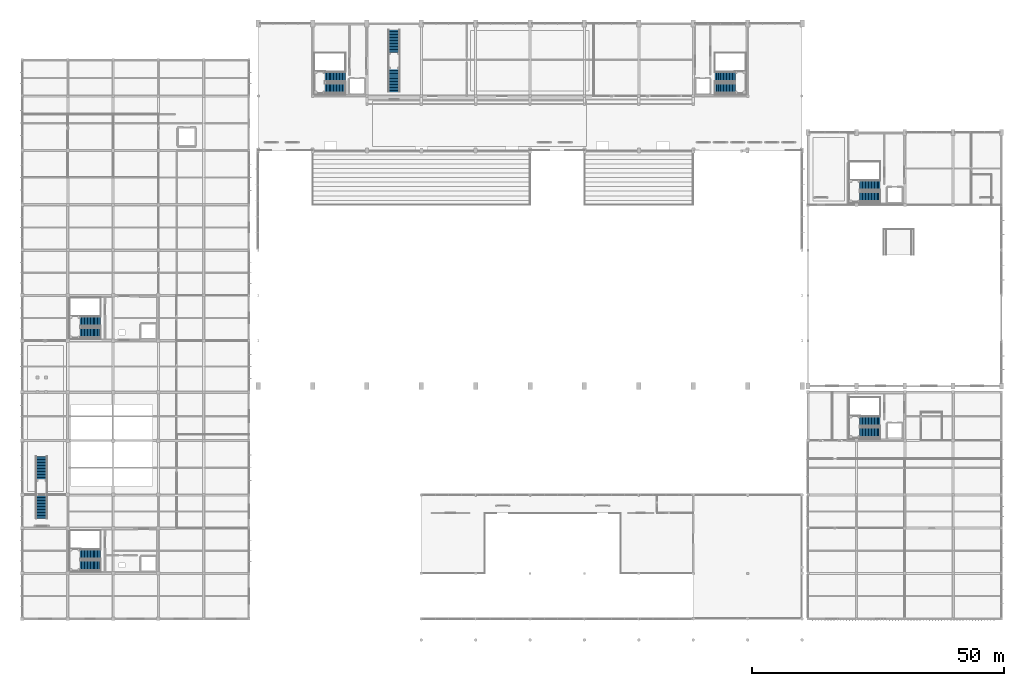
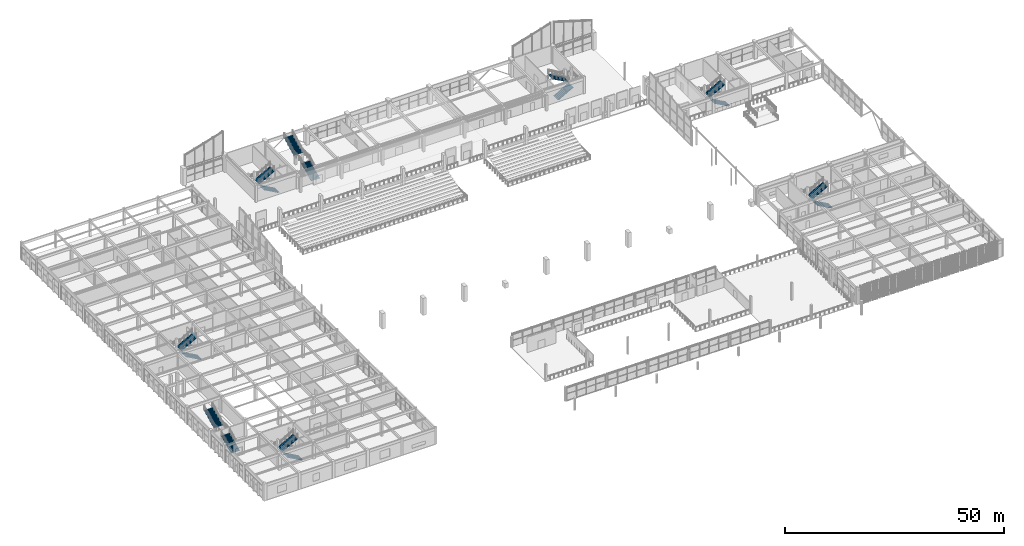
# One storey, part 56 of 74: 16 stair flights, 8 elements without a shape of their own.
"""IFC4 building model written with IfcOpenShell, lengths in metres."""

import ifcopenshell
import ifcopenshell.guid

model = None  # the IFC model being written
_history = None  # IfcOwnerHistory: only IFC2X3 demands one
_inside = {}  # id of a spatial element -> (the spatial element, [elements in it])
_under = {}  # id of a project, library or spatial element -> (it, [spatial elements below it])
_declared = {}  # id of a project -> (the project, [libraries it declares])
_typed = {}  # id of a type object -> (the type object, [elements of that type])
_made_of = {}  # id of a material, layer set ... -> (it, [elements and type objects made of it])


def new_model(schema):
    """Start an empty IFC model of exactly this schema.

    Asked for "IFC4X3", IfcOpenShell would pick the latest addendum, in which some entities
    have other attributes; the version numbers below select the first issue.
    IFC2X3 requires an IfcOwnerHistory on every rooted entity: one is made here for all.
    """
    global model, _history
    if schema == "IFC4X3":
        model = ifcopenshell.file(schema_version=(4, 3, 0, 0))
    else:
        model = ifcopenshell.file(schema=schema)
    _inside.clear()
    _under.clear()
    _declared.clear()
    _typed.clear()
    _made_of.clear()
    _history = None
    if model.schema == "IFC2X3":
        org = make("IfcOrganization", Name="unknown")
        user = make(
            "IfcPersonAndOrganization",
            ThePerson=make("IfcPerson", FamilyName="unknown"),
            TheOrganization=org,
        )
        app = make(
            "IfcApplication",
            ApplicationDeveloper=org,
            Version="unknown",
            ApplicationFullName="unknown",
            ApplicationIdentifier="unknown",
        )
        _history = make(
            "IfcOwnerHistory",
            OwningUser=user,
            OwningApplication=app,
            ChangeAction="ADDED",
            CreationDate=0,
        )
    return model


def make(cls, **values):
    """One entity of the class cls with the attributes given. An attribute that is None is left unset."""
    return model.create_entity(
        cls, **{name: value for name, value in values.items() if value is not None}
    )


def rooted(cls, **values):
    """An entity with a GlobalId (a new one), such as an element, a storey or a relation."""
    return make(cls, GlobalId=ifcopenshell.guid.new(), OwnerHistory=_history, **values)


def si_unit(unit_type, name, prefix=None):
    """IfcSIUnit, for example si_unit("LENGTHUNIT", "METRE", prefix="MILLI")."""
    return make("IfcSIUnit", UnitType=unit_type, Prefix=prefix, Name=name)


def assignment(units):
    """IfcUnitAssignment: the units of a project."""
    return None if units is None else make("IfcUnitAssignment", Units=units)


def point(xyz):
    """IfcCartesianPoint."""
    return None if xyz is None else make("IfcCartesianPoint", Coordinates=xyz)


def direction(xyz):
    """IfcDirection."""
    return None if xyz is None else make("IfcDirection", DirectionRatios=xyz)


def frame(location, z_axis=None, x_axis=None):
    """IfcAxis2Placement3D, a coordinate frame: its origin and axes. An axis left out is left unset."""
    return make(
        "IfcAxis2Placement3D",
        Location=point(location),
        Axis=direction(z_axis),
        RefDirection=direction(x_axis),
    )


def origin():
    """The frame at (0, 0, 0) with its axes left unset."""
    return frame((0.0, 0.0, 0.0))


def place(relative_to, where):
    """IfcLocalPlacement: puts the frame where relative to a parent placement (None: the world)."""
    return make(
        "IfcLocalPlacement", PlacementRelTo=relative_to, RelativePlacement=where
    )


def context(
    kind, dimensions, precision=None, world=None, true_north=None, identifier=None
):
    """IfcGeometricRepresentationContext, for example the 3D "Model" context."""
    return make(
        "IfcGeometricRepresentationContext",
        ContextIdentifier=identifier,
        ContextType=kind,
        CoordinateSpaceDimension=dimensions,
        Precision=precision,
        WorldCoordinateSystem=world,
        TrueNorth=true_north,
    )


def subcontext(parent, identifier, kind, view, scale=None):
    """IfcGeometricRepresentationSubContext, for example "Body" below "Model"."""
    return make(
        "IfcGeometricRepresentationSubContext",
        ContextIdentifier=identifier,
        ContextType=kind,
        ParentContext=parent,
        TargetScale=scale,
        TargetView=view,
    )


def project(units=None, contexts=None):
    """IfcProject with its units and contexts."""
    return rooted(
        "IfcProject",
        Name="project",
        RepresentationContexts=contexts,
        UnitsInContext=assignment(units),
    )


def spatial(cls, under=None, at=None, **own):
    """A site, building, storey or space (cls), placed at a placement, below another one or the project."""
    s = rooted(cls, ObjectPlacement=at, **own)
    if under is not None:
        _under.setdefault(under.id(), (under, []))[1].append(s)
    return s


def polyline(points):
    """IfcPolyline through the points."""
    return make("IfcPolyline", Points=[point(p) for p in points])


def outline(outer, holes=None, kind="AREA"):
    """IfcArbitraryClosedProfileDef: a profile drawn as a closed curve; with holes, ...WithVoids."""
    if holes is None:
        return make("IfcArbitraryClosedProfileDef", ProfileType=kind, OuterCurve=outer)
    return make(
        "IfcArbitraryProfileDefWithVoids",
        ProfileType=kind,
        OuterCurve=outer,
        InnerCurves=holes,
    )


def extrude(swept, where, along, depth):
    """IfcExtrudedAreaSolid: the profile swept, set in the frame where, extruded along a direction by depth."""
    return make(
        "IfcExtrudedAreaSolid",
        SweptArea=swept,
        Position=where,
        ExtrudedDirection=direction(along),
        Depth=depth,
    )


def shape(context_of_items, identifier, shape_type, items):
    """IfcShapeRepresentation: the items that make up one representation, for example the "Body"."""
    return make(
        "IfcShapeRepresentation",
        ContextOfItems=context_of_items,
        RepresentationIdentifier=identifier,
        RepresentationType=shape_type,
        Items=items,
    )


def material(Name=None, Category=None):
    """IfcMaterial."""
    return make("IfcMaterial", Name=Name, Category=Category)


def made_of(thing, what):
    """Note that an element or type object is made of a material, layer set ...; save() writes the relation."""
    if what is not None:
        _made_of.setdefault(what.id(), (what, []))[1].append(thing)
    return thing


def type_object(cls, material=None, **own):
    """A type object (cls), such as IfcWallType, which elements share."""
    return made_of(rooted(cls, **own), material)


def element(
    cls,
    number,
    at=None,
    inside=None,
    cuts=None,
    type_object=None,
    material=None,
    context=None,
    identifier="Body",
    shape_type=None,
    held_by="IfcProductDefinitionShape",
    body=None,
    shapes=None,
    **own,
):
    """One element of the class cls, such as IfcWall. Its Tag is "e" and its number.

    at: its placement. inside: the storey or other place that contains it. cuts: it is an
    opening in that element (IfcRelVoidsElement). A single representation is given by context,
    identifier, shape_type and body (its items); several are given by shapes. held_by: the class
    of the entity that holds the representations. save() writes the other relations.
    """
    e = rooted(cls, Tag="e%d" % number, ObjectPlacement=at, **own)
    if body is not None:
        shapes = [shape(context, identifier, shape_type, body)]
    if shapes is not None:
        e.Representation = make(held_by, Representations=shapes)
    if inside is not None:
        _inside.setdefault(inside.id(), (inside, []))[1].append(e)
    if cuts is not None:
        rooted(
            "IfcRelVoidsElement", RelatingBuildingElement=cuts, RelatedOpeningElement=e
        )
    if type_object is not None:
        _typed.setdefault(type_object.id(), (type_object, []))[1].append(e)
    return made_of(e, material)


def aggregate(whole, parts):
    """IfcRelAggregates: a whole, such as a stair, and the parts it consists of."""
    return rooted("IfcRelAggregates", RelatingObject=whole, RelatedObjects=parts)


def save(model, path):
    """Write the relations noted so far, then the file.

    IfcRelAggregates (storeys below a building ...), IfcRelContainedInSpatialStructure (elements
    in a storey), IfcRelDefinesByType, IfcRelAssociatesMaterial and IfcRelDeclares: one each for
    every whole, place, type object, material and project.
    """
    for whole, parts in _under.values():
        aggregate(whole, parts)
    for where, things in _inside.values():
        rooted(
            "IfcRelContainedInSpatialStructure",
            RelatedElements=things,
            RelatingStructure=where,
        )
    for kind, things in _typed.values():
        rooted("IfcRelDefinesByType", RelatedObjects=things, RelatingType=kind)
    for what, things in _made_of.values():
        rooted("IfcRelAssociatesMaterial", RelatedObjects=things, RelatingMaterial=what)
    for by, libraries in _declared.values():
        rooted("IfcRelDeclares", RelatingContext=by, RelatedDefinitions=libraries)
    model.write(path)


model = new_model("IFC4")

# Units and contexts
model_context = context("Model", 3, precision=1e-05, world=origin(), true_north=direction((0.0, 1.0)))
body_context = subcontext(model_context, "Body", "Model", "MODEL_VIEW")
ifc_project = project(units=[si_unit("LENGTHUNIT", "METRE"), si_unit("AREAUNIT", "SQUARE_METRE"), si_unit("VOLUMEUNIT", "CUBIC_METRE"), si_unit("PLANEANGLEUNIT", "RADIAN"), si_unit("MASSUNIT", "GRAM", prefix="KILO")], contexts=[model_context])

# Site, building, storey
site_placement = place(None, origin())
site = spatial("IfcSite", under=ifc_project, at=site_placement, CompositionType="ELEMENT")
building_placement = place(site_placement, origin())
building = spatial("IfcBuilding", under=site, at=building_placement, Name="Suirenkawa Promenade Aquatics Centre", CompositionType="ELEMENT")
storey_placement = place(building_placement, frame((0.0, 0.0, 4.800048828125)))
storey = spatial("IfcBuildingStorey", under=building, at=storey_placement, Name="L01", CompositionType="ELEMENT", Elevation=4.800048828125)

# Stair, stair flights
ifc_material = material(Name="Concrete M40", Category="concrete")
stair_type_1 = type_object("IfcStairType", Name="STT-CORE-2100-480", PredefinedType="TWO_STRAIGHT_RUN_STAIR", material=ifc_material)
stair_1_placement = place(storey_placement, origin())
stair_1 = element("IfcStair", 1, at=stair_1_placement, inside=storey, type_object=stair_type_1, Name="Protected exit stair STR-01 ST-03", PredefinedType="TWO_STRAIGHT_RUN_STAIR")
stair_flight_type_1 = type_object("IfcStairFlightType", Name="SFT-FLIGHT-2100", PredefinedType="STRAIGHT", material=ifc_material)
stair_flight_1_placement = place(storey_placement, frame((15.514892578125, 14.780029296875, 0.0), z_axis=(0.0, 0.0, 1.0), x_axis=(-1.0, 0.0, 0.0)))
stair_flight_1 = element("IfcStairFlight", 2, at=stair_flight_1_placement, type_object=stair_flight_type_1, Name="Stair flight SFL-01 FL-005", NumberOfRisers=15, NumberOfTreads=14, PredefinedType="STRAIGHT", RiserHeight=0.16, TreadLength=0.29, context=body_context, shape_type="SweptSolid", body=[
    extrude(outline(polyline([(0.0, 0.0), (0.0, 0.159912109375), (0.2900390625, 0.159912109375), (0.2900390625, 0.320068359375), (0.580078125, 0.320068359375), (0.580078125, 0.47998046875), (0.8701171875, 0.47998046875), (0.8701171875, 0.639892578125), (1.159912109375, 0.639892578125), (1.159912109375, 0.800048828125), (1.449951171875, 0.800048828125), (1.449951171875, 0.9599609375), (1.739990234375, 0.9599609375), (1.739990234375, 1.1201171875), (2.030029296875, 1.1201171875), (2.030029296875, 1.280029296875), (2.320068359375, 1.280029296875), (2.320068359375, 1.43994140625), (2.610107421875, 1.43994140625), (2.610107421875, 1.60009765625), (2.89990234375, 1.60009765625), (2.89990234375, 1.760009765625), (3.18994140625, 1.760009765625), (3.18994140625, 1.919921875), (3.47998046875, 1.919921875), (3.47998046875, 2.080078125), (3.77001953125, 2.080078125), (3.77001953125, 2.239990234375), (4.06005859375, 2.239990234375), (4.06005859375, 2.39990234375), (4.06005859375, 2.0458984375), (0.351806640625, 0.0), (0.0, 0.0)])), frame((0.0, 1.010009765625, 0.0), z_axis=(0.0, -1.0, 0.0), x_axis=(1.0, 0.0, 0.0)), (0.0, 0.0, 1.0), 2.02001953125),
])
stair_flight_2_placement = place(storey_placement, frame((11.455078125, 17.050048828125, 2.39990234375), z_axis=(0.0, 0.0, 1.0), x_axis=(1.0, 0.0, 0.0)))
stair_flight_2 = element("IfcStairFlight", 3, at=stair_flight_2_placement, type_object=stair_flight_type_1, Name="Stair flight SFL-01 FL-006", NumberOfRisers=15, NumberOfTreads=14, PredefinedType="STRAIGHT", RiserHeight=0.16, TreadLength=0.29, context=body_context, shape_type="SweptSolid", body=[
    extrude(outline(polyline([(0.0, 0.0), (0.0, 0.159912109375), (0.2900390625, 0.159912109375), (0.2900390625, 0.320068359375), (0.580078125, 0.320068359375), (0.580078125, 0.47998046875), (0.8701171875, 0.47998046875), (0.8701171875, 0.639892578125), (1.159912109375, 0.639892578125), (1.159912109375, 0.800048828125), (1.449951171875, 0.800048828125), (1.449951171875, 0.9599609375), (1.739990234375, 0.9599609375), (1.739990234375, 1.1201171875), (2.030029296875, 1.1201171875), (2.030029296875, 1.280029296875), (2.320068359375, 1.280029296875), (2.320068359375, 1.43994140625), (2.610107421875, 1.43994140625), (2.610107421875, 1.60009765625), (2.89990234375, 1.60009765625), (2.89990234375, 1.760009765625), (3.18994140625, 1.760009765625), (3.18994140625, 1.919921875), (3.47998046875, 1.919921875), (3.47998046875, 2.080078125), (3.77001953125, 2.080078125), (3.77001953125, 2.239990234375), (4.06005859375, 2.239990234375), (4.06005859375, 2.39990234375), (4.06005859375, 2.0458984375), (0.351806640625, 0.0), (0.0, 0.0)])), frame((0.0, 1.010009765625, 0.0), z_axis=(0.0, -1.0, 0.0), x_axis=(1.0, 0.0, 0.0)), (0.0, 0.0, 1.0), 2.02001953125),
])
aggregate(stair_1, [stair_flight_1, stair_flight_2])

stair_2_placement = place(storey_placement, origin())
stair_2 = element("IfcStair", 4, at=stair_2_placement, inside=storey, type_object=stair_type_1, Name="Protected exit stair STR-01 ST-08", PredefinedType="TWO_STRAIGHT_RUN_STAIR")
stair_flight_3_placement = place(storey_placement, frame((15.514892578125, 60.97998046875, 0.0), z_axis=(0.0, 0.0, 1.0), x_axis=(-1.0, 0.0, 0.0)))
stair_flight_3 = element("IfcStairFlight", 5, at=stair_flight_3_placement, type_object=stair_flight_type_1, Name="Stair flight SFL-01 FL-015", NumberOfRisers=15, NumberOfTreads=14, PredefinedType="STRAIGHT", RiserHeight=0.16, TreadLength=0.29, context=body_context, shape_type="SweptSolid", body=[
    extrude(outline(polyline([(0.0, 0.0), (0.0, 0.159912109375), (0.2900390625, 0.159912109375), (0.2900390625, 0.320068359375), (0.580078125, 0.320068359375), (0.580078125, 0.47998046875), (0.8701171875, 0.47998046875), (0.8701171875, 0.639892578125), (1.159912109375, 0.639892578125), (1.159912109375, 0.800048828125), (1.449951171875, 0.800048828125), (1.449951171875, 0.9599609375), (1.739990234375, 0.9599609375), (1.739990234375, 1.1201171875), (2.030029296875, 1.1201171875), (2.030029296875, 1.280029296875), (2.320068359375, 1.280029296875), (2.320068359375, 1.43994140625), (2.610107421875, 1.43994140625), (2.610107421875, 1.60009765625), (2.89990234375, 1.60009765625), (2.89990234375, 1.760009765625), (3.18994140625, 1.760009765625), (3.18994140625, 1.919921875), (3.47998046875, 1.919921875), (3.47998046875, 2.080078125), (3.77001953125, 2.080078125), (3.77001953125, 2.239990234375), (4.06005859375, 2.239990234375), (4.06005859375, 2.39990234375), (4.06005859375, 2.0458984375), (0.351806640625, 0.0), (0.0, 0.0)])), frame((0.0, 1.010009765625, 0.0), z_axis=(0.0, -1.0, 0.0), x_axis=(1.0, 0.0, 0.0)), (0.0, 0.0, 1.0), 2.02001953125),
])
stair_flight_4_placement = place(storey_placement, frame((11.455078125, 63.25, 2.39990234375), z_axis=(0.0, 0.0, 1.0), x_axis=(1.0, 0.0, 0.0)))
stair_flight_4 = element("IfcStairFlight", 6, at=stair_flight_4_placement, type_object=stair_flight_type_1, Name="Stair flight SFL-01 FL-016", NumberOfRisers=15, NumberOfTreads=14, PredefinedType="STRAIGHT", RiserHeight=0.16, TreadLength=0.29, context=body_context, shape_type="SweptSolid", body=[
    extrude(outline(polyline([(0.0, 0.0), (0.0, 0.159912109375), (0.2900390625, 0.159912109375), (0.2900390625, 0.320068359375), (0.580078125, 0.320068359375), (0.580078125, 0.47998046875), (0.8701171875, 0.47998046875), (0.8701171875, 0.639892578125), (1.159912109375, 0.639892578125), (1.159912109375, 0.800048828125), (1.449951171875, 0.800048828125), (1.449951171875, 0.9599609375), (1.739990234375, 0.9599609375), (1.739990234375, 1.1201171875), (2.030029296875, 1.1201171875), (2.030029296875, 1.280029296875), (2.320068359375, 1.280029296875), (2.320068359375, 1.43994140625), (2.610107421875, 1.43994140625), (2.610107421875, 1.60009765625), (2.89990234375, 1.60009765625), (2.89990234375, 1.760009765625), (3.18994140625, 1.760009765625), (3.18994140625, 1.919921875), (3.47998046875, 1.919921875), (3.47998046875, 2.080078125), (3.77001953125, 2.080078125), (3.77001953125, 2.239990234375), (4.06005859375, 2.239990234375), (4.06005859375, 2.39990234375), (4.06005859375, 2.0458984375), (0.351806640625, 0.0), (0.0, 0.0)])), frame((0.0, 1.010009765625, 0.0), z_axis=(0.0, -1.0, 0.0), x_axis=(1.0, 0.0, 0.0)), (0.0, 0.0, 1.0), 2.02001953125),
])
aggregate(stair_2, [stair_flight_3, stair_flight_4])

stair_3_placement = place(storey_placement, origin())
stair_3 = element("IfcStair", 7, at=stair_3_placement, inside=storey, type_object=stair_type_1, Name="Protected exit stair STR-01 ST-13", PredefinedType="TWO_STRAIGHT_RUN_STAIR")
stair_flight_5_placement = place(storey_placement, frame((64.114990234375, 109.580078125, 0.0), z_axis=(0.0, 0.0, 1.0), x_axis=(-1.0, 0.0, 0.0)))
stair_flight_5 = element("IfcStairFlight", 8, at=stair_flight_5_placement, type_object=stair_flight_type_1, Name="Stair flight SFL-01 FL-025", NumberOfRisers=15, NumberOfTreads=14, PredefinedType="STRAIGHT", RiserHeight=0.16, TreadLength=0.29, context=body_context, shape_type="SweptSolid", body=[
    extrude(outline(polyline([(0.0, 0.0), (0.0, 0.159912109375), (0.2900390625, 0.159912109375), (0.2900390625, 0.320068359375), (0.580078125, 0.320068359375), (0.580078125, 0.47998046875), (0.8701171875, 0.47998046875), (0.8701171875, 0.639892578125), (1.159912109375, 0.639892578125), (1.159912109375, 0.800048828125), (1.449951171875, 0.800048828125), (1.449951171875, 0.9599609375), (1.739990234375, 0.9599609375), (1.739990234375, 1.1201171875), (2.030029296875, 1.1201171875), (2.030029296875, 1.280029296875), (2.320068359375, 1.280029296875), (2.320068359375, 1.43994140625), (2.610107421875, 1.43994140625), (2.610107421875, 1.60009765625), (2.89990234375, 1.60009765625), (2.89990234375, 1.760009765625), (3.18994140625, 1.760009765625), (3.18994140625, 1.919921875), (3.47998046875, 1.919921875), (3.47998046875, 2.080078125), (3.77001953125, 2.080078125), (3.77001953125, 2.239990234375), (4.06005859375, 2.239990234375), (4.06005859375, 2.39990234375), (4.06005859375, 2.0458984375), (0.351806640625, 0.0), (0.0, 0.0)])), frame((0.0, 1.010009765625, 0.0), z_axis=(0.0, -1.0, 0.0), x_axis=(1.0, 0.0, 0.0)), (0.0, 0.0, 1.0), 2.02001953125),
])
stair_flight_6_placement = place(storey_placement, frame((60.054931640625, 111.85009765625, 2.39990234375), z_axis=(0.0, 0.0, 1.0), x_axis=(1.0, 0.0, 0.0)))
stair_flight_6 = element("IfcStairFlight", 9, at=stair_flight_6_placement, type_object=stair_flight_type_1, Name="Stair flight SFL-01 FL-026", NumberOfRisers=15, NumberOfTreads=14, PredefinedType="STRAIGHT", RiserHeight=0.16, TreadLength=0.29, context=body_context, shape_type="SweptSolid", body=[
    extrude(outline(polyline([(0.0, 0.0), (0.0, 0.159912109375), (0.2900390625, 0.159912109375), (0.2900390625, 0.320068359375), (0.580078125, 0.320068359375), (0.580078125, 0.47998046875), (0.8701171875, 0.47998046875), (0.8701171875, 0.639892578125), (1.159912109375, 0.639892578125), (1.159912109375, 0.800048828125), (1.449951171875, 0.800048828125), (1.449951171875, 0.9599609375), (1.739990234375, 0.9599609375), (1.739990234375, 1.1201171875), (2.030029296875, 1.1201171875), (2.030029296875, 1.280029296875), (2.320068359375, 1.280029296875), (2.320068359375, 1.43994140625), (2.610107421875, 1.43994140625), (2.610107421875, 1.60009765625), (2.89990234375, 1.60009765625), (2.89990234375, 1.760009765625), (3.18994140625, 1.760009765625), (3.18994140625, 1.919921875), (3.47998046875, 1.919921875), (3.47998046875, 2.080078125), (3.77001953125, 2.080078125), (3.77001953125, 2.239990234375), (4.06005859375, 2.239990234375), (4.06005859375, 2.39990234375), (4.06005859375, 2.0458984375), (0.351806640625, 0.0), (0.0, 0.0)])), frame((0.0, 1.010009765625, 0.0), z_axis=(0.0, -1.0, 0.0), x_axis=(1.0, 0.0, 0.0)), (0.0, 0.0, 1.0), 2.02001953125),
])
aggregate(stair_3, [stair_flight_5, stair_flight_6])

stair_4_placement = place(storey_placement, origin())
stair_4 = element("IfcStair", 10, at=stair_4_placement, inside=storey, type_object=stair_type_1, Name="Protected exit stair STR-01 ST-15", PredefinedType="TWO_STRAIGHT_RUN_STAIR")
stair_flight_7_placement = place(storey_placement, frame((137.485107421875, 109.580078125, 0.0), z_axis=(0.0, 0.0, 1.0), x_axis=(1.0, 0.0, 0.0)))
stair_flight_7 = element("IfcStairFlight", 11, at=stair_flight_7_placement, type_object=stair_flight_type_1, Name="Stair flight SFL-01 FL-029", NumberOfRisers=15, NumberOfTreads=14, PredefinedType="STRAIGHT", RiserHeight=0.16, TreadLength=0.29, context=body_context, shape_type="SweptSolid", body=[
    extrude(outline(polyline([(0.0, 0.0), (0.0, 0.159912109375), (0.2900390625, 0.159912109375), (0.2900390625, 0.320068359375), (0.580078125, 0.320068359375), (0.580078125, 0.47998046875), (0.8701171875, 0.47998046875), (0.8701171875, 0.639892578125), (1.159912109375, 0.639892578125), (1.159912109375, 0.800048828125), (1.449951171875, 0.800048828125), (1.449951171875, 0.9599609375), (1.739990234375, 0.9599609375), (1.739990234375, 1.1201171875), (2.030029296875, 1.1201171875), (2.030029296875, 1.280029296875), (2.320068359375, 1.280029296875), (2.320068359375, 1.43994140625), (2.610107421875, 1.43994140625), (2.610107421875, 1.60009765625), (2.89990234375, 1.60009765625), (2.89990234375, 1.760009765625), (3.18994140625, 1.760009765625), (3.18994140625, 1.919921875), (3.47998046875, 1.919921875), (3.47998046875, 2.080078125), (3.77001953125, 2.080078125), (3.77001953125, 2.239990234375), (4.06005859375, 2.239990234375), (4.06005859375, 2.39990234375), (4.06005859375, 2.0458984375), (0.351806640625, 0.0), (0.0, 0.0)])), frame((0.0, 1.010009765625, 0.0), z_axis=(0.0, -1.0, 0.0), x_axis=(1.0, 0.0, 0.0)), (0.0, 0.0, 1.0), 2.02001953125),
])
stair_flight_8_placement = place(storey_placement, frame((141.544921875, 111.85009765625, 2.39990234375), z_axis=(0.0, 0.0, 1.0), x_axis=(-1.0, 0.0, 0.0)))
stair_flight_8 = element("IfcStairFlight", 12, at=stair_flight_8_placement, type_object=stair_flight_type_1, Name="Stair flight SFL-01 FL-030", NumberOfRisers=15, NumberOfTreads=14, PredefinedType="STRAIGHT", RiserHeight=0.16, TreadLength=0.29, context=body_context, shape_type="SweptSolid", body=[
    extrude(outline(polyline([(0.0, 0.0), (0.0, 0.159912109375), (0.2900390625, 0.159912109375), (0.2900390625, 0.320068359375), (0.580078125, 0.320068359375), (0.580078125, 0.47998046875), (0.8701171875, 0.47998046875), (0.8701171875, 0.639892578125), (1.159912109375, 0.639892578125), (1.159912109375, 0.800048828125), (1.449951171875, 0.800048828125), (1.449951171875, 0.9599609375), (1.739990234375, 0.9599609375), (1.739990234375, 1.1201171875), (2.030029296875, 1.1201171875), (2.030029296875, 1.280029296875), (2.320068359375, 1.280029296875), (2.320068359375, 1.43994140625), (2.610107421875, 1.43994140625), (2.610107421875, 1.60009765625), (2.89990234375, 1.60009765625), (2.89990234375, 1.760009765625), (3.18994140625, 1.760009765625), (3.18994140625, 1.919921875), (3.47998046875, 1.919921875), (3.47998046875, 2.080078125), (3.77001953125, 2.080078125), (3.77001953125, 2.239990234375), (4.06005859375, 2.239990234375), (4.06005859375, 2.39990234375), (4.06005859375, 2.0458984375), (0.351806640625, 0.0), (0.0, 0.0)])), frame((0.0, 1.010009765625, 0.0), z_axis=(0.0, -1.0, 0.0), x_axis=(1.0, 0.0, 0.0)), (0.0, 0.0, 1.0), 2.02001953125),
])
aggregate(stair_4, [stair_flight_7, stair_flight_8])

stair_5_placement = place(storey_placement, origin())
stair_5 = element("IfcStair", 13, at=stair_5_placement, inside=storey, type_object=stair_type_1, Name="Protected exit stair STR-01 ST-17", PredefinedType="TWO_STRAIGHT_RUN_STAIR")
stair_flight_9_placement = place(storey_placement, frame((170.31494140625, 87.97998046875, 0.0), z_axis=(0.0, 0.0, 1.0), x_axis=(-1.0, 0.0, 0.0)))
stair_flight_9 = element("IfcStairFlight", 14, at=stair_flight_9_placement, type_object=stair_flight_type_1, Name="Stair flight SFL-01 FL-033", NumberOfRisers=15, NumberOfTreads=14, PredefinedType="STRAIGHT", RiserHeight=0.16, TreadLength=0.29, context=body_context, shape_type="SweptSolid", body=[
    extrude(outline(polyline([(0.0, 0.0), (0.0, 0.159912109375), (0.2900390625, 0.159912109375), (0.2900390625, 0.320068359375), (0.580078125, 0.320068359375), (0.580078125, 0.47998046875), (0.8701171875, 0.47998046875), (0.8701171875, 0.639892578125), (1.159912109375, 0.639892578125), (1.159912109375, 0.800048828125), (1.449951171875, 0.800048828125), (1.449951171875, 0.9599609375), (1.739990234375, 0.9599609375), (1.739990234375, 1.1201171875), (2.030029296875, 1.1201171875), (2.030029296875, 1.280029296875), (2.320068359375, 1.280029296875), (2.320068359375, 1.43994140625), (2.610107421875, 1.43994140625), (2.610107421875, 1.60009765625), (2.89990234375, 1.60009765625), (2.89990234375, 1.760009765625), (3.18994140625, 1.760009765625), (3.18994140625, 1.919921875), (3.47998046875, 1.919921875), (3.47998046875, 2.080078125), (3.77001953125, 2.080078125), (3.77001953125, 2.239990234375), (4.06005859375, 2.239990234375), (4.06005859375, 2.39990234375), (4.06005859375, 2.0458984375), (0.351806640625, 0.0), (0.0, 0.0)])), frame((0.0, 1.010009765625, 0.0), z_axis=(0.0, -1.0, 0.0), x_axis=(1.0, 0.0, 0.0)), (0.0, 0.0, 1.0), 2.02001953125),
])
stair_flight_10_placement = place(storey_placement, frame((166.2548828125, 90.25, 2.39990234375), z_axis=(0.0, 0.0, 1.0), x_axis=(1.0, 0.0, 0.0)))
stair_flight_10 = element("IfcStairFlight", 15, at=stair_flight_10_placement, type_object=stair_flight_type_1, Name="Stair flight SFL-01 FL-034", NumberOfRisers=15, NumberOfTreads=14, PredefinedType="STRAIGHT", RiserHeight=0.16, TreadLength=0.29, context=body_context, shape_type="SweptSolid", body=[
    extrude(outline(polyline([(0.0, 0.0), (0.0, 0.159912109375), (0.2900390625, 0.159912109375), (0.2900390625, 0.320068359375), (0.580078125, 0.320068359375), (0.580078125, 0.47998046875), (0.8701171875, 0.47998046875), (0.8701171875, 0.639892578125), (1.159912109375, 0.639892578125), (1.159912109375, 0.800048828125), (1.449951171875, 0.800048828125), (1.449951171875, 0.9599609375), (1.739990234375, 0.9599609375), (1.739990234375, 1.1201171875), (2.030029296875, 1.1201171875), (2.030029296875, 1.280029296875), (2.320068359375, 1.280029296875), (2.320068359375, 1.43994140625), (2.610107421875, 1.43994140625), (2.610107421875, 1.60009765625), (2.89990234375, 1.60009765625), (2.89990234375, 1.760009765625), (3.18994140625, 1.760009765625), (3.18994140625, 1.919921875), (3.47998046875, 1.919921875), (3.47998046875, 2.080078125), (3.77001953125, 2.080078125), (3.77001953125, 2.239990234375), (4.06005859375, 2.239990234375), (4.06005859375, 2.39990234375), (4.06005859375, 2.0458984375), (0.351806640625, 0.0), (0.0, 0.0)])), frame((0.0, 1.010009765625, 0.0), z_axis=(0.0, -1.0, 0.0), x_axis=(1.0, 0.0, 0.0)), (0.0, 0.0, 1.0), 2.02001953125),
])
aggregate(stair_5, [stair_flight_9, stair_flight_10])

stair_6_placement = place(storey_placement, origin())
stair_6 = element("IfcStair", 16, at=stair_6_placement, inside=storey, type_object=stair_type_1, Name="Protected exit stair STR-01 ST-20", PredefinedType="TWO_STRAIGHT_RUN_STAIR")
stair_flight_11_placement = place(storey_placement, frame((170.31494140625, 41.179931640625, 0.0), z_axis=(0.0, 0.0, 1.0), x_axis=(-1.0, 0.0, 0.0)))
stair_flight_11 = element("IfcStairFlight", 17, at=stair_flight_11_placement, type_object=stair_flight_type_1, Name="Stair flight SFL-01 FL-039", NumberOfRisers=15, NumberOfTreads=14, PredefinedType="STRAIGHT", RiserHeight=0.16, TreadLength=0.29, context=body_context, shape_type="SweptSolid", body=[
    extrude(outline(polyline([(0.0, 0.0), (0.0, 0.159912109375), (0.2900390625, 0.159912109375), (0.2900390625, 0.320068359375), (0.580078125, 0.320068359375), (0.580078125, 0.47998046875), (0.8701171875, 0.47998046875), (0.8701171875, 0.639892578125), (1.159912109375, 0.639892578125), (1.159912109375, 0.800048828125), (1.449951171875, 0.800048828125), (1.449951171875, 0.9599609375), (1.739990234375, 0.9599609375), (1.739990234375, 1.1201171875), (2.030029296875, 1.1201171875), (2.030029296875, 1.280029296875), (2.320068359375, 1.280029296875), (2.320068359375, 1.43994140625), (2.610107421875, 1.43994140625), (2.610107421875, 1.60009765625), (2.89990234375, 1.60009765625), (2.89990234375, 1.760009765625), (3.18994140625, 1.760009765625), (3.18994140625, 1.919921875), (3.47998046875, 1.919921875), (3.47998046875, 2.080078125), (3.77001953125, 2.080078125), (3.77001953125, 2.239990234375), (4.06005859375, 2.239990234375), (4.06005859375, 2.39990234375), (4.06005859375, 2.0458984375), (0.351806640625, 0.0), (0.0, 0.0)])), frame((0.0, 1.010009765625, 0.0), z_axis=(0.0, -1.0, 0.0), x_axis=(1.0, 0.0, 0.0)), (0.0, 0.0, 1.0), 2.02001953125),
])
stair_flight_12_placement = place(storey_placement, frame((166.2548828125, 43.449951171875, 2.39990234375), z_axis=(0.0, 0.0, 1.0), x_axis=(1.0, 0.0, 0.0)))
stair_flight_12 = element("IfcStairFlight", 18, at=stair_flight_12_placement, type_object=stair_flight_type_1, Name="Stair flight SFL-01 FL-040", NumberOfRisers=15, NumberOfTreads=14, PredefinedType="STRAIGHT", RiserHeight=0.16, TreadLength=0.29, context=body_context, shape_type="SweptSolid", body=[
    extrude(outline(polyline([(0.0, 0.0), (0.0, 0.159912109375), (0.2900390625, 0.159912109375), (0.2900390625, 0.320068359375), (0.580078125, 0.320068359375), (0.580078125, 0.47998046875), (0.8701171875, 0.47998046875), (0.8701171875, 0.639892578125), (1.159912109375, 0.639892578125), (1.159912109375, 0.800048828125), (1.449951171875, 0.800048828125), (1.449951171875, 0.9599609375), (1.739990234375, 0.9599609375), (1.739990234375, 1.1201171875), (2.030029296875, 1.1201171875), (2.030029296875, 1.280029296875), (2.320068359375, 1.280029296875), (2.320068359375, 1.43994140625), (2.610107421875, 1.43994140625), (2.610107421875, 1.60009765625), (2.89990234375, 1.60009765625), (2.89990234375, 1.760009765625), (3.18994140625, 1.760009765625), (3.18994140625, 1.919921875), (3.47998046875, 1.919921875), (3.47998046875, 2.080078125), (3.77001953125, 2.080078125), (3.77001953125, 2.239990234375), (4.06005859375, 2.239990234375), (4.06005859375, 2.39990234375), (4.06005859375, 2.0458984375), (0.351806640625, 0.0), (0.0, 0.0)])), frame((0.0, 1.010009765625, 0.0), z_axis=(0.0, -1.0, 0.0), x_axis=(1.0, 0.0, 0.0)), (0.0, 0.0, 1.0), 2.02001953125),
])
aggregate(stair_6, [stair_flight_11, stair_flight_12])

stair_type_2 = type_object("IfcStairType", Name="STT-FOYER-2600", PredefinedType="STRAIGHT_RUN_STAIR", material=ifc_material)
stair_7_placement = place(storey_placement, origin())
stair_7 = element("IfcStair", 19, at=stair_7_placement, inside=storey, type_object=stair_type_2, Name="Grand assembly cascade stair STR-05 ST-36", PredefinedType="STRAIGHT_RUN_STAIR")
stair_flight_type_2 = type_object("IfcStairFlightType", Name="SFT-FLIGHT-2600", PredefinedType="STRAIGHT", material=ifc_material)
stair_flight_13_placement = place(storey_placement, frame((3.800048828125, 24.1298828125, 0.0), z_axis=(0.0, 0.0, 1.0), x_axis=(0.0, 1.0, 0.0)))
stair_flight_13 = element("IfcStairFlight", 20, at=stair_flight_13_placement, type_object=stair_flight_type_2, Name="Cascade flight SFL-04 FL-071", NumberOfRisers=16, NumberOfTreads=15, PredefinedType="STRAIGHT", RiserHeight=0.15, TreadLength=0.3, context=body_context, shape_type="SweptSolid", body=[
    extrude(outline(polyline([(0.0, 0.0), (0.0, 0.14990234375), (0.300048828125, 0.14990234375), (0.300048828125, 0.300048828125), (0.60009765625, 0.300048828125), (0.60009765625, 0.449951171875), (0.89990234375, 0.449951171875), (0.89990234375, 0.60009765625), (1.199951171875, 0.60009765625), (1.199951171875, 0.75), (1.5, 0.75), (1.5, 0.89990234375), (1.800048828125, 0.89990234375), (1.800048828125, 1.050048828125), (2.10009765625, 1.050048828125), (2.10009765625, 1.199951171875), (2.39990234375, 1.199951171875), (2.39990234375, 1.35009765625), (2.699951171875, 1.35009765625), (2.699951171875, 1.5), (3.0, 1.5), (3.0, 1.64990234375), (3.300048828125, 1.64990234375), (3.300048828125, 1.800048828125), (3.60009765625, 1.800048828125), (3.60009765625, 1.949951171875), (3.89990234375, 1.949951171875), (3.89990234375, 2.10009765625), (4.199951171875, 2.10009765625), (4.199951171875, 2.25), (4.5, 2.25), (4.5, 2.39990234375), (4.5, 2.06005859375), (0.3798828125, 0.0), (0.0, 0.0)])), frame((0.0, 1.125, 0.0), z_axis=(0.0, -1.0, 0.0), x_axis=(1.0, 0.0, 0.0)), (0.0, 0.0, 1.0), 2.25),
])
stair_flight_14_placement = place(storey_placement, frame((3.800048828125, 31.919921875, 2.39990234375), z_axis=(0.0, 0.0, 1.0), x_axis=(0.0, 1.0, 0.0)))
stair_flight_14 = element("IfcStairFlight", 21, at=stair_flight_14_placement, type_object=stair_flight_type_2, Name="Cascade flight SFL-04 FL-072", NumberOfRisers=16, NumberOfTreads=15, PredefinedType="STRAIGHT", RiserHeight=0.15, TreadLength=0.3, context=body_context, shape_type="SweptSolid", body=[
    extrude(outline(polyline([(0.0, 0.0), (0.0, 0.14990234375), (0.300048828125, 0.14990234375), (0.300048828125, 0.300048828125), (0.60009765625, 0.300048828125), (0.60009765625, 0.449951171875), (0.89990234375, 0.449951171875), (0.89990234375, 0.60009765625), (1.199951171875, 0.60009765625), (1.199951171875, 0.75), (1.5, 0.75), (1.5, 0.89990234375), (1.800048828125, 0.89990234375), (1.800048828125, 1.050048828125), (2.10009765625, 1.050048828125), (2.10009765625, 1.199951171875), (2.39990234375, 1.199951171875), (2.39990234375, 1.35009765625), (2.699951171875, 1.35009765625), (2.699951171875, 1.5), (3.0, 1.5), (3.0, 1.64990234375), (3.300048828125, 1.64990234375), (3.300048828125, 1.800048828125), (3.60009765625, 1.800048828125), (3.60009765625, 1.949951171875), (3.89990234375, 1.949951171875), (3.89990234375, 2.10009765625), (4.199951171875, 2.10009765625), (4.199951171875, 2.25), (4.5, 2.25), (4.5, 2.39990234375), (4.5, 2.06005859375), (0.3798828125, 0.0), (0.0, 0.0)])), frame((0.0, 1.125, 0.0), z_axis=(0.0, -1.0, 0.0), x_axis=(1.0, 0.0, 0.0)), (0.0, 0.0, 1.0), 2.25),
])
aggregate(stair_7, [stair_flight_13, stair_flight_14])

stair_8_placement = place(storey_placement, origin())
stair_8 = element("IfcStair", 22, at=stair_8_placement, inside=storey, type_object=stair_type_2, Name="Grand assembly cascade stair STR-05 ST-37", PredefinedType="STRAIGHT_RUN_STAIR")
stair_flight_15_placement = place(storey_placement, frame((73.800048828125, 108.830078125, 0.0), z_axis=(0.0, 0.0, 1.0), x_axis=(0.0, 1.0, 0.0)))
stair_flight_15 = element("IfcStairFlight", 23, at=stair_flight_15_placement, type_object=stair_flight_type_2, Name="Cascade flight SFL-04 FL-073", NumberOfRisers=16, NumberOfTreads=15, PredefinedType="STRAIGHT", RiserHeight=0.15, TreadLength=0.3, context=body_context, shape_type="SweptSolid", body=[
    extrude(outline(polyline([(0.0, 0.0), (0.0, 0.14990234375), (0.300048828125, 0.14990234375), (0.300048828125, 0.300048828125), (0.60009765625, 0.300048828125), (0.60009765625, 0.449951171875), (0.89990234375, 0.449951171875), (0.89990234375, 0.60009765625), (1.199951171875, 0.60009765625), (1.199951171875, 0.75), (1.5, 0.75), (1.5, 0.89990234375), (1.800048828125, 0.89990234375), (1.800048828125, 1.050048828125), (2.10009765625, 1.050048828125), (2.10009765625, 1.199951171875), (2.39990234375, 1.199951171875), (2.39990234375, 1.35009765625), (2.699951171875, 1.35009765625), (2.699951171875, 1.5), (3.0, 1.5), (3.0, 1.64990234375), (3.300048828125, 1.64990234375), (3.300048828125, 1.800048828125), (3.60009765625, 1.800048828125), (3.60009765625, 1.949951171875), (3.89990234375, 1.949951171875), (3.89990234375, 2.10009765625), (4.199951171875, 2.10009765625), (4.199951171875, 2.25), (4.5, 2.25), (4.5, 2.39990234375), (4.5, 2.06005859375), (0.3798828125, 0.0), (0.0, 0.0)])), frame((0.0, 1.125, 0.0), z_axis=(0.0, -1.0, 0.0), x_axis=(1.0, 0.0, 0.0)), (0.0, 0.0, 1.0), 2.25),
])
stair_flight_16_placement = place(storey_placement, frame((73.800048828125, 116.6201171875, 2.39990234375), z_axis=(0.0, 0.0, 1.0), x_axis=(0.0, 1.0, 0.0)))
stair_flight_16 = element("IfcStairFlight", 24, at=stair_flight_16_placement, type_object=stair_flight_type_2, Name="Cascade flight SFL-04 FL-074", NumberOfRisers=16, NumberOfTreads=15, PredefinedType="STRAIGHT", RiserHeight=0.15, TreadLength=0.3, context=body_context, shape_type="SweptSolid", body=[
    extrude(outline(polyline([(0.0, 0.0), (0.0, 0.14990234375), (0.300048828125, 0.14990234375), (0.300048828125, 0.300048828125), (0.60009765625, 0.300048828125), (0.60009765625, 0.449951171875), (0.89990234375, 0.449951171875), (0.89990234375, 0.60009765625), (1.199951171875, 0.60009765625), (1.199951171875, 0.75), (1.5, 0.75), (1.5, 0.89990234375), (1.800048828125, 0.89990234375), (1.800048828125, 1.050048828125), (2.10009765625, 1.050048828125), (2.10009765625, 1.199951171875), (2.39990234375, 1.199951171875), (2.39990234375, 1.35009765625), (2.699951171875, 1.35009765625), (2.699951171875, 1.5), (3.0, 1.5), (3.0, 1.64990234375), (3.300048828125, 1.64990234375), (3.300048828125, 1.800048828125), (3.60009765625, 1.800048828125), (3.60009765625, 1.949951171875), (3.89990234375, 1.949951171875), (3.89990234375, 2.10009765625), (4.199951171875, 2.10009765625), (4.199951171875, 2.25), (4.5, 2.25), (4.5, 2.39990234375), (4.5, 2.06005859375), (0.3798828125, 0.0), (0.0, 0.0)])), frame((0.0, 1.125, 0.0), z_axis=(0.0, -1.0, 0.0), x_axis=(1.0, 0.0, 0.0)), (0.0, 0.0, 1.0), 2.25),
])
aggregate(stair_8, [stair_flight_15, stair_flight_16])

save(model, "model.ifc")
